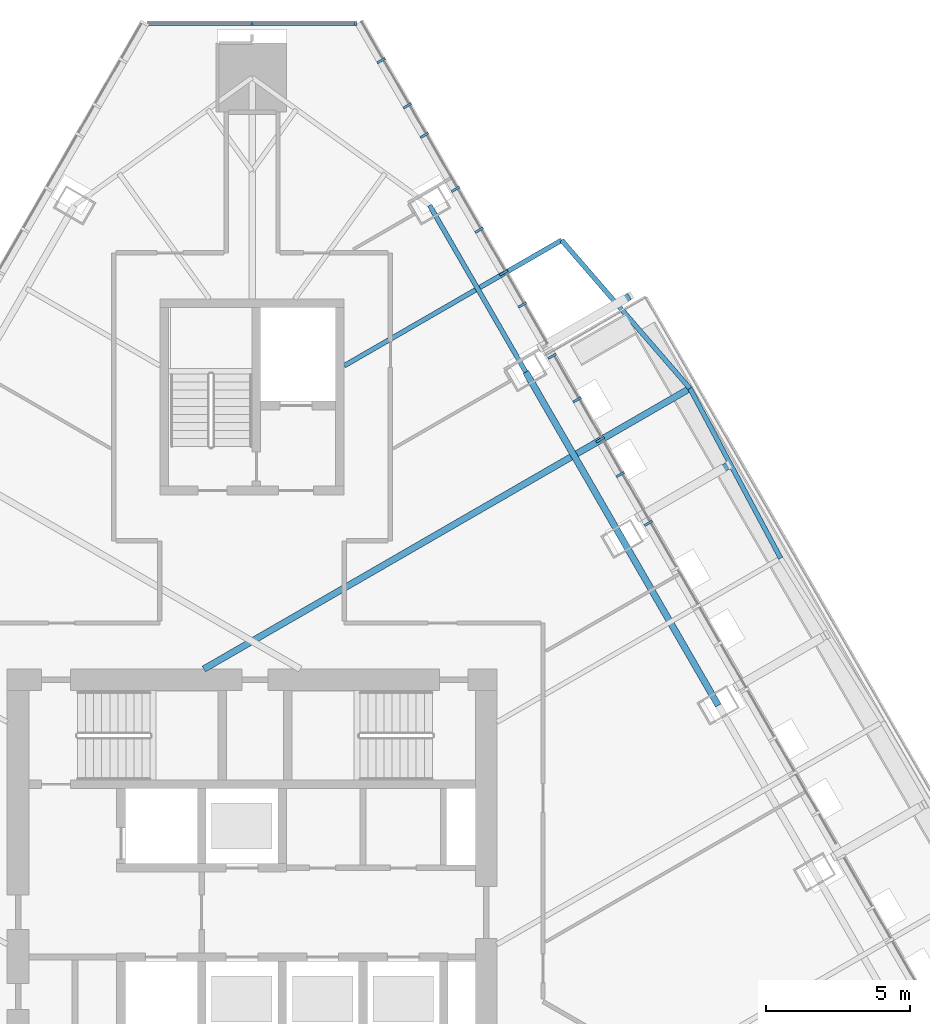
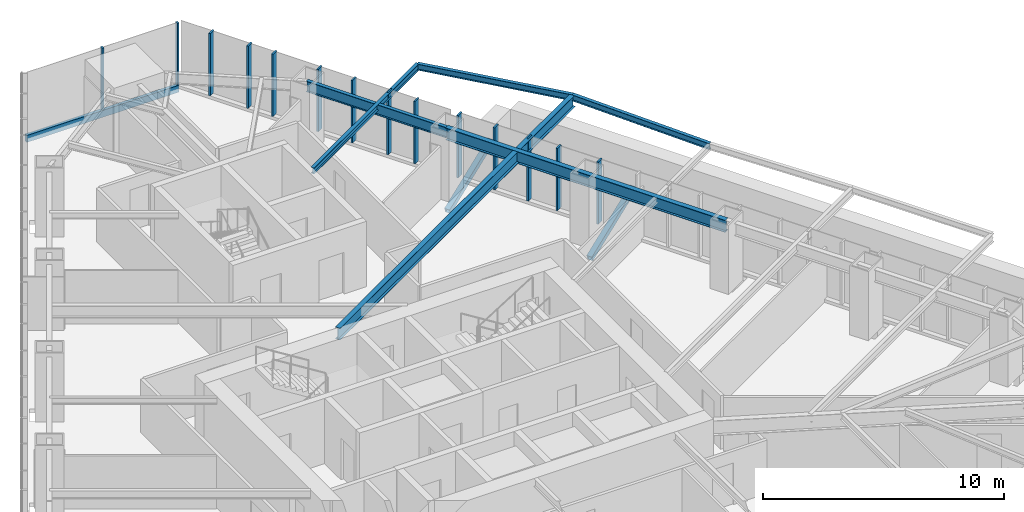
# One storey, part 6 of 17: 17 members, 6 beams, 2 elements without a shape of their own.
"""IFC4 building model written with IfcOpenShell, lengths in metres."""

from ifc_helpers import new_model, si_unit, direction, frame, origin, origin_2d, place, context, subcontext, project, spatial, rectangle, hollow_rectangle, i_section, extrude, material, layer, layer_set, material_profile, profile_set, type_object, element, aggregate, save


model = new_model("IFC4")

# Units and contexts
model_context = context("Model", 3, precision=1e-05, world=origin(), true_north=direction((0.0, 1.0)))
body_context = subcontext(model_context, "Body", "Model", "MODEL_VIEW")
ifc_project = project(units=[si_unit("LENGTHUNIT", "METRE"), si_unit("AREAUNIT", "SQUARE_METRE"), si_unit("VOLUMEUNIT", "CUBIC_METRE"), si_unit("PLANEANGLEUNIT", "RADIAN"), si_unit("MASSUNIT", "GRAM", prefix="KILO")], contexts=[model_context])

# Site, building, storey
site_placement = place(None, origin())
site = spatial("IfcSite", under=ifc_project, at=site_placement, CompositionType="ELEMENT")
building_placement = place(site_placement, origin())
building = spatial("IfcBuilding", under=site, at=building_placement, Name="Firuza Gate Tower and Library", CompositionType="ELEMENT")
storey_placement = place(building_placement, frame((0.0, 0.0, 263.60009765625)))
storey = spatial("IfcBuildingStorey", under=building, at=storey_placement, Name="L62", CompositionType="ELEMENT", Elevation=263.60009765625)

# Curtain wall, members
ifc_material_1 = material(Name="Aluminium 6063-T6", Category="aluminium")
ifc_layer_1 = layer(ifc_material_1, 0.14990234375)
ifc_layer_set_1 = layer_set([ifc_layer_1], Name="Corner curtain wall, chamfers")
curtain_wall_type_1 = type_object("IfcCurtainWallType", Name="Corner curtain wall, chamfers", PredefinedType="NOTDEFINED", material=ifc_layer_set_1)
placement = place(storey_placement, origin())
curtain_wall_1 = element("IfcCurtainWall", 1, at=placement, inside=storey, type_object=curtain_wall_type_1, Name="CW4 L62 N corner", PredefinedType="NOTDEFINED")
ifc_material_2 = material(Name="Aluminium 6063-T6", Category="aluminium")
ifc_material_profile_1 = material_profile(ifc_material_2, rectangle(XDim=0.14990234375, YDim=0.080078125, at=origin_2d()))
ifc_profile_set_1 = profile_set([ifc_material_profile_1], Name="Aluminium 6063-T6")
member_type_1 = type_object("IfcMemberType", Name="Curtain wall mullion 80x150", PredefinedType="MULLION", material=ifc_profile_set_1)
member_1_placement = place(storey_placement, frame((78.603271484375, 104.1611328125, 0.14990234375), z_axis=(0.0, 0.0, 1.0), x_axis=(0.0, -1.0, 0.0)))
member_1 = element("IfcMember", 2, at=member_1_placement, type_object=member_type_1, Name="Mullion", PredefinedType="MULLION", context=body_context, shape_type="SweptSolid", body=[
    extrude(rectangle(XDim=0.14990234375, YDim=0.080078125, at=origin_2d()), origin(), (0.0, 0.0, 1.0), 3.14990234375),
])
member_2_placement = place(storey_placement, frame((75.0, 104.1611328125, 0.14990234375), z_axis=(0.0, 0.0, 1.0), x_axis=(0.0, -1.0, 0.0)))
member_2 = element("IfcMember", 3, at=member_2_placement, type_object=member_type_1, Name="Mullion", PredefinedType="MULLION", context=body_context, shape_type="SweptSolid", body=[
    extrude(rectangle(XDim=0.14990234375, YDim=0.080078125, at=origin_2d()), origin(), (0.0, 0.0, 1.0), 3.14990234375),
])

ifc_material_3 = material(Name="Aluminium 6063-T6", Category="aluminium")
ifc_layer_2 = layer(ifc_material_3, 0.14990234375)
ifc_layer_set_2 = layer_set([ifc_layer_2], Name="Unitised curtain wall, residences")
curtain_wall_type_2 = type_object("IfcCurtainWallType", Name="Unitised curtain wall, residences", PredefinedType="NOTDEFINED", material=ifc_layer_set_2)
curtain_wall_2 = element("IfcCurtainWall", 4, at=placement, inside=storey, type_object=curtain_wall_type_2, Name="CW3 L62 E face", PredefinedType="NOTDEFINED")
ifc_material_4 = material(Name="Aluminium 6063-T6", Category="aluminium")
ifc_material_profile_2 = material_profile(ifc_material_4, rectangle(XDim=0.320068359375, YDim=0.080078125, at=origin_2d()))
ifc_profile_set_2 = profile_set([ifc_material_profile_2], Name="Aluminium 6063-T6")
member_type_2 = type_object("IfcMemberType", Name="Curtain wall mullion 80x320", PredefinedType="MULLION", material=ifc_profile_set_2)
member_3_placement = place(storey_placement, frame((88.759521484375, 86.809326171875, 0.14990234375), z_axis=(0.0, 0.0, 1.0), x_axis=(-0.866025403784, -0.5, 0.0)))
member_3 = element("IfcMember", 5, at=member_3_placement, type_object=member_type_2, Name="Mullion", PredefinedType="MULLION", context=body_context, shape_type="SweptSolid", body=[
    extrude(rectangle(XDim=0.320068359375, YDim=0.080078125, at=origin_2d()), origin(), (0.0, 0.0, 1.0), 3.14990234375),
])
member_4_placement = place(storey_placement, frame((87.085693359375, 89.70849609375, 0.14990234375), z_axis=(0.0, 0.0, 1.0), x_axis=(-0.866025403784, -0.5, 0.0)))
member_4 = element("IfcMember", 6, at=member_4_placement, type_object=member_type_2, Name="Mullion", PredefinedType="MULLION", context=body_context, shape_type="SweptSolid", body=[
    extrude(rectangle(XDim=0.320068359375, YDim=0.080078125, at=origin_2d()), origin(), (0.0, 0.0, 1.0), 3.14990234375),
])
member_5_placement = place(storey_placement, frame((85.411865234375, 92.607421875, 0.14990234375), z_axis=(0.0, 0.0, 1.0), x_axis=(-0.866025403784, -0.5, 0.0)))
member_5 = element("IfcMember", 7, at=member_5_placement, type_object=member_type_2, Name="Mullion", PredefinedType="MULLION", context=body_context, shape_type="SweptSolid", body=[
    extrude(rectangle(XDim=0.320068359375, YDim=0.080078125, at=origin_2d()), origin(), (0.0, 0.0, 1.0), 3.14990234375),
])
member_6_placement = place(storey_placement, frame((83.73828125, 95.506591796875, 0.14990234375), z_axis=(0.0, 0.0, 1.0), x_axis=(-0.866025403784, -0.5, 0.0)))
member_6 = element("IfcMember", 8, at=member_6_placement, type_object=member_type_2, Name="Mullion", PredefinedType="MULLION", context=body_context, shape_type="SweptSolid", body=[
    extrude(rectangle(XDim=0.320068359375, YDim=0.080078125, at=origin_2d()), origin(), (0.0, 0.0, 1.0), 3.14990234375),
])
member_7_placement = place(storey_placement, frame((82.064453125, 98.405517578125, 0.14990234375), z_axis=(0.0, 0.0, 1.0), x_axis=(-0.866025403784, -0.5, 0.0)))
member_7 = element("IfcMember", 9, at=member_7_placement, type_object=member_type_2, Name="Mullion", PredefinedType="MULLION", context=body_context, shape_type="SweptSolid", body=[
    extrude(rectangle(XDim=0.320068359375, YDim=0.080078125, at=origin_2d()), origin(), (0.0, 0.0, 1.0), 3.14990234375),
])
member_8_placement = place(storey_placement, frame((80.390625, 101.3046875, 0.14990234375), z_axis=(0.0, 0.0, 1.0), x_axis=(-0.866025403784, -0.5, 0.0)))
member_8 = element("IfcMember", 10, at=member_8_placement, type_object=member_type_2, Name="Mullion", PredefinedType="MULLION", context=body_context, shape_type="SweptSolid", body=[
    extrude(rectangle(XDim=0.320068359375, YDim=0.080078125, at=origin_2d()), origin(), (0.0, 0.0, 1.0), 3.14990234375),
])
member_9_placement = place(storey_placement, frame((87.7822265625, 88.501953125, 0.14990234375), z_axis=(0.0, 0.0, 1.0), x_axis=(-0.866025403784, -0.5, 0.0)))
member_9 = element("IfcMember", 11, at=member_9_placement, type_object=member_type_2, Name="Mullion", PredefinedType="MULLION", context=body_context, shape_type="SweptSolid", body=[
    extrude(rectangle(XDim=0.320068359375, YDim=0.080078125, at=origin_2d()), origin(), (0.0, 0.0, 1.0), 3.14990234375),
])
member_10_placement = place(storey_placement, frame((86.2841796875, 91.096923828125, 0.14990234375), z_axis=(0.0, 0.0, 1.0), x_axis=(-0.866025403784, -0.5, 0.0)))
member_10 = element("IfcMember", 12, at=member_10_placement, type_object=member_type_2, Name="Mullion", PredefinedType="MULLION", context=body_context, shape_type="SweptSolid", body=[
    extrude(rectangle(XDim=0.320068359375, YDim=0.080078125, at=origin_2d()), origin(), (0.0, 0.0, 1.0), 3.14990234375),
])
member_11_placement = place(storey_placement, frame((84.38232421875, 94.390869140625, 0.14990234375), z_axis=(0.0, 0.0, 1.0), x_axis=(-0.866025403784, -0.5, 0.0)))
member_11 = element("IfcMember", 13, at=member_11_placement, type_object=member_type_2, Name="Mullion", PredefinedType="MULLION", context=body_context, shape_type="SweptSolid", body=[
    extrude(rectangle(XDim=0.320068359375, YDim=0.080078125, at=origin_2d()), origin(), (0.0, 0.0, 1.0), 3.14990234375),
])
member_12_placement = place(storey_placement, frame((82.884033203125, 96.98583984375, 0.14990234375), z_axis=(0.0, 0.0, 1.0), x_axis=(-0.866025403784, -0.5, 0.0)))
member_12 = element("IfcMember", 14, at=member_12_placement, type_object=member_type_2, Name="Mullion", PredefinedType="MULLION", context=body_context, shape_type="SweptSolid", body=[
    extrude(rectangle(XDim=0.320068359375, YDim=0.080078125, at=origin_2d()), origin(), (0.0, 0.0, 1.0), 3.14990234375),
])
member_13_placement = place(storey_placement, frame((80.982421875, 100.27978515625, 0.14990234375), z_axis=(0.0, 0.0, 1.0), x_axis=(-0.866025403784, -0.5, 0.0)))
member_13 = element("IfcMember", 15, at=member_13_placement, type_object=member_type_2, Name="Mullion", PredefinedType="MULLION", context=body_context, shape_type="SweptSolid", body=[
    extrude(rectangle(XDim=0.320068359375, YDim=0.080078125, at=origin_2d()), origin(), (0.0, 0.0, 1.0), 3.14990234375),
])
member_14_placement = place(storey_placement, frame((79.484130859375, 102.874755859375, 0.14990234375), z_axis=(0.0, 0.0, 1.0), x_axis=(-0.866025403784, -0.5, 0.0)))
member_14 = element("IfcMember", 16, at=member_14_placement, type_object=member_type_2, Name="Mullion", PredefinedType="MULLION", context=body_context, shape_type="SweptSolid", body=[
    extrude(rectangle(XDim=0.320068359375, YDim=0.080078125, at=origin_2d()), origin(), (0.0, 0.0, 1.0), 3.14990234375),
])
aggregate(curtain_wall_2, [member_3, member_4, member_5, member_6, member_7, member_8, member_9, member_10, member_11, member_12, member_13, member_14])

# Member
ifc_material_5 = material(Name="Aluminium 6063-T6", Category="aluminium")
ifc_material_profile_3 = material_profile(ifc_material_5, rectangle(XDim=0.14990234375, YDim=0.35009765625, at=origin_2d()))
ifc_profile_set_3 = profile_set([ifc_material_profile_3], Name="Aluminium 6063-T6")
member_type_3 = type_object("IfcMemberType", Name="Curtain wall transom 350x150", PredefinedType="USERDEFINED", material=ifc_profile_set_3)
member_15_placement = place(storey_placement, frame((78.643310546875, 104.1611328125, -0.025146484375), z_axis=(-1.0, 0.0, 0.0), x_axis=(0.0, -1.0, 0.0)))
member_15 = element("IfcMember", 17, at=member_15_placement, type_object=member_type_3, Name="Transom", ObjectType="TRANSOM", PredefinedType="USERDEFINED", context=body_context, shape_type="SweptSolid", body=[
    extrude(rectangle(XDim=0.14990234375, YDim=0.35009765625, at=origin_2d()), origin(), (0.0, 0.0, 1.0), 7.28662109375),
])

aggregate(curtain_wall_1, [member_1, member_2, member_15])

# Members
ifc_material_6 = material(Name="Steel S355", Category="steel")
ifc_material_profile_4 = material_profile(ifc_material_6, hollow_rectangle(XDim=0.25390625, YDim=0.25390625, WallThickness=0.01171875, at=origin_2d()))
ifc_profile_set_4 = profile_set([ifc_material_profile_4], Name="Steel S355")
member_type_4 = type_object("IfcMemberType", Name="HSS254x254x13 Tray strut", PredefinedType="BRACE", material=ifc_profile_set_4)
for number, where, z_axis, x_axis, name in (
    (18, (88.42041015625, 87.020751953125, -1.670166015625), (0.807122458648, 0.466007352202, 0.362478253747), (-0.500012057535, 0.866018442252, 0.0), "Tray strut L62 col:L61:E4"),
    (19, (85.0205078125, 92.90966796875, -1.670166015625), (0.807122458648, 0.466007352202, 0.362478253747), (-0.500012057535, 0.866018442252, 0.0), "Tray strut L62 col:L61:E5"),
):
    element("IfcMember", number, at=place(storey_placement, frame(where, z_axis=z_axis, x_axis=x_axis)), inside=storey, type_object=member_type_4, Name=name, PredefinedType="BRACE", context=body_context, shape_type="SweptSolid", body=[
        extrude(hollow_rectangle(XDim=0.25390625, YDim=0.25390625, WallThickness=0.01171875, at=origin_2d()), origin(), (0.0, 0.0, 1.0), 3.86279296875),
    ])

# Beams
ifc_material_7 = material(Name="Steel S355", Category="steel")
ifc_material_profile_5 = material_profile(ifc_material_7, i_section(OverallWidth=0.1650390625, OverallDepth=0.31005859375, WebThickness=0.005859375, FlangeThickness=0.009765625, at=origin_2d()))
ifc_profile_set_5 = profile_set([ifc_material_profile_5], Name="Steel S355")
beam_type_1 = type_object("IfcBeamType", Name="W310x39 Floor beam", PredefinedType="JOIST", material=ifc_profile_set_5)
beam_1_placement = place(storey_placement, frame((85.747802734375, 96.63818359375, 3.14501953125), z_axis=(-0.866029781631, -0.49999241727, 0.0), x_axis=(0.49999241727, -0.866029781631, 0.0)))
element("IfcBeam", 20, at=beam_1_placement, inside=storey, type_object=beam_type_1, Name="Floor beam L62 s54", PredefinedType="JOIST", context=body_context, shape_type="SweptSolid", body=[
    extrude(i_section(OverallWidth=0.1650390625, OverallDepth=0.31005859375, WebThickness=0.005859375, FlangeThickness=0.009765625, at=origin_2d()), origin(), (0.0, 0.0, 1.0), 8.715576171875),
])
beam_2_placement = place(storey_placement, frame((93.352294921875, 85.595703125, 3.14501953125), z_axis=(-0.471323406802, 0.881960456143, 0.0), x_axis=(-0.881960456143, -0.471323406802, 0.0)))
element("IfcBeam", 21, at=beam_2_placement, inside=storey, type_object=beam_type_1, Name="Tray edge beam L62 s52-s53", PredefinedType="JOIST", context=body_context, shape_type="SweptSolid", body=[
    extrude(i_section(OverallWidth=0.1650390625, OverallDepth=0.31005859375, WebThickness=0.005859375, FlangeThickness=0.009765625, at=origin_2d()), origin(), (0.0, 0.0, 1.0), 6.686279296875),
])
beam_3_placement = place(storey_placement, frame((90.200927734375, 91.49267578125, 3.14501953125), z_axis=(-0.654400414432, 0.756148198167, 0.0), x_axis=(-0.756148198167, -0.654400414432, 0.0)))
element("IfcBeam", 22, at=beam_3_placement, inside=storey, type_object=beam_type_1, Name="Tray edge beam L62 s53-s54", PredefinedType="JOIST", context=body_context, shape_type="SweptSolid", body=[
    extrude(i_section(OverallWidth=0.1650390625, OverallDepth=0.31005859375, WebThickness=0.005859375, FlangeThickness=0.009765625, at=origin_2d()), origin(), (0.0, 0.0, 1.0), 6.804931640625),
])
ifc_material_8 = material(Name="Steel S355", Category="steel")
ifc_material_profile_6 = material_profile(ifc_material_8, i_section(OverallWidth=0.166015625, OverallDepth=0.534912109375, WebThickness=0.01025390625, FlangeThickness=0.0166015625, at=origin_2d()))
ifc_profile_set_6 = profile_set([ifc_material_profile_6], Name="Steel S355")
beam_type_2 = type_object("IfcBeamType", Name="W530x85 Edge beam", PredefinedType="SPANDREL", material=ifc_profile_set_6)
beam_4_placement = place(storey_placement, frame((84.503173828125, 92.0615234375, 3.032470703125), z_axis=(-0.499997585193, 0.866026797969, 0.0), x_axis=(-0.866026797969, -0.499997585193, 0.0)))
element("IfcBeam", 23, at=beam_4_placement, inside=storey, type_object=beam_type_2, Name="Edge beam L62 e54", PredefinedType="SPANDREL", context=body_context, shape_type="SweptSolid", body=[
    extrude(i_section(OverallWidth=0.166015625, OverallDepth=0.534912109375, WebThickness=0.01025390625, FlangeThickness=0.0166015625, at=origin_2d()), origin(), (0.0, 0.0, 1.0), 6.6826171875),
])
ifc_material_9 = material(Name="Steel S355", Category="steel")
ifc_material_profile_7 = material_profile(ifc_material_9, i_section(OverallWidth=0.22802734375, OverallDepth=0.60302734375, WebThickness=0.010498046875, FlangeThickness=0.014892578125, at=origin_2d()))
ifc_profile_set_7 = profile_set([ifc_material_profile_7], Name="Steel S355")
beam_type_3 = type_object("IfcBeamType", Name="W610x101 Floor beam", PredefinedType="JOIST", material=ifc_profile_set_7)
beam_5_placement = place(storey_placement, frame((90.200927734375, 91.49267578125, 2.998291015625), z_axis=(-0.866027848477, -0.499995765644, 0.0), x_axis=(0.499995765644, -0.866027848477, 0.0)))
element("IfcBeam", 24, at=beam_5_placement, inside=storey, type_object=beam_type_3, Name="Floor beam L62 s53", PredefinedType="JOIST", context=body_context, shape_type="SweptSolid", body=[
    extrude(i_section(OverallWidth=0.22802734375, OverallDepth=0.60302734375, WebThickness=0.010498046875, FlangeThickness=0.014892578125, at=origin_2d()), origin(), (0.0, 0.0, 1.0), 19.485595703125),
])
ifc_material_10 = material(Name="Steel S355", Category="steel")
ifc_material_profile_8 = material_profile(ifc_material_10, i_section(OverallWidth=0.22900390625, OverallDepth=0.612060546875, WebThickness=0.011962890625, FlangeThickness=0.01953125, at=origin_2d()))
ifc_profile_set_8 = profile_set([ifc_material_profile_8], Name="Steel S355")
beam_type_4 = type_object("IfcBeamType", Name="W610x125 Edge beam", PredefinedType="SPANDREL", material=ifc_profile_set_8)
beam_6_placement = place(storey_placement, frame((91.185791015625, 80.48681640625, 2.993896484375), z_axis=(-0.499997585193, 0.866026797969, 0.0), x_axis=(-0.866026797969, -0.499997585193, 0.0)))
element("IfcBeam", 25, at=beam_6_placement, inside=storey, type_object=beam_type_4, Name="Edge beam L62 e52", PredefinedType="SPANDREL", context=body_context, shape_type="SweptSolid", body=[
    extrude(i_section(OverallWidth=0.22900390625, OverallDepth=0.612060546875, WebThickness=0.011962890625, FlangeThickness=0.01953125, at=origin_2d()), origin(), (0.0, 0.0, 1.0), 13.365234375),
])

save(model, "model.ifc")
